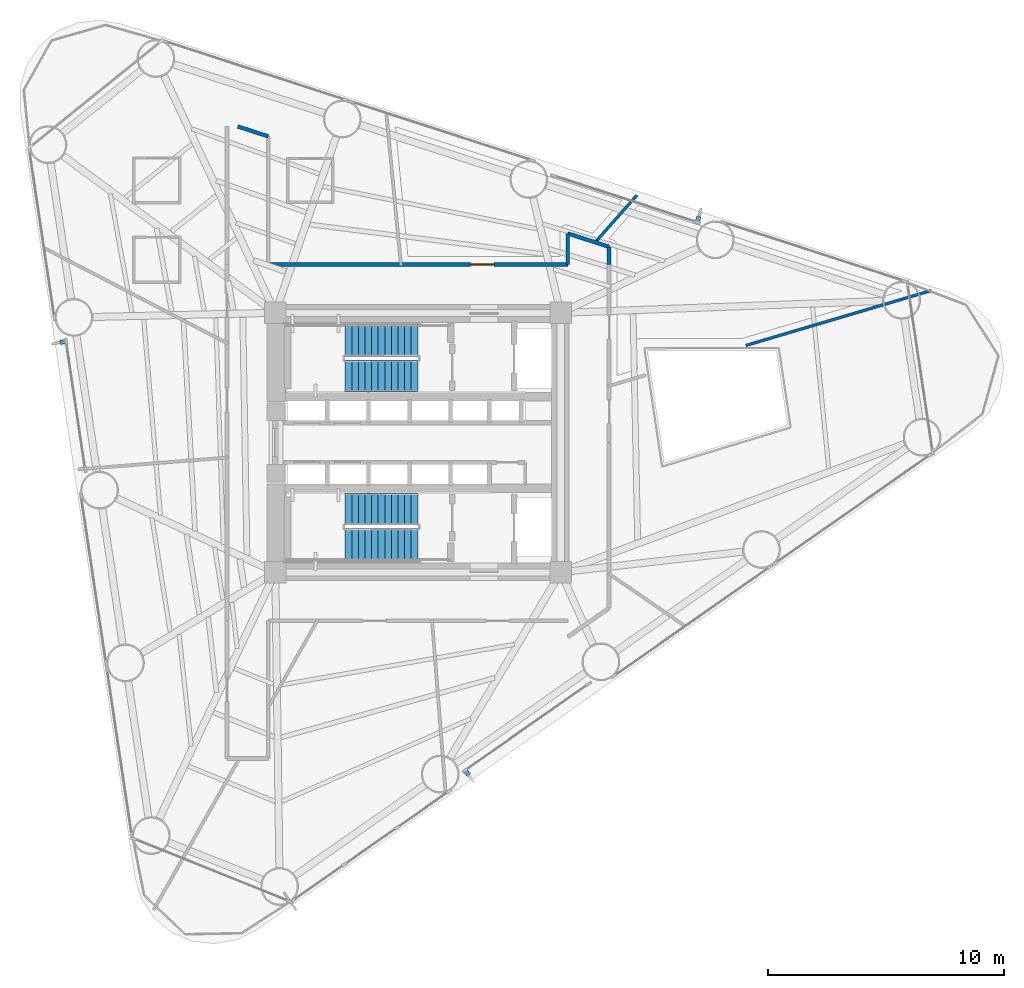
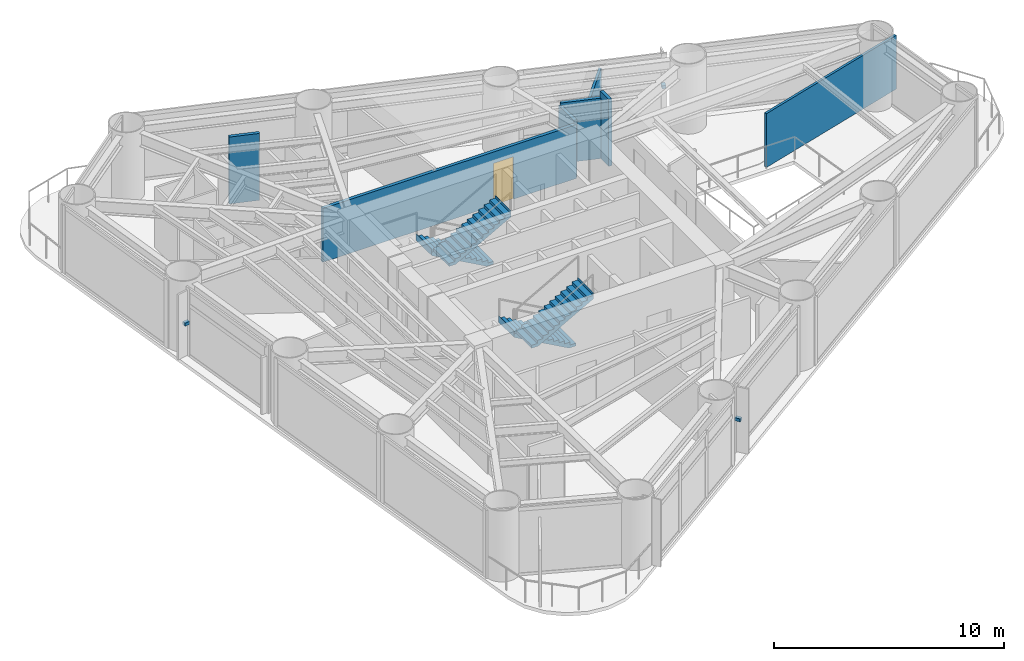
# One storey, part 7 of 9: 7 walls, 4 stair flights, 3 discrete accessories, 1 door, 1 opening, 2 elements without a shape of their own.
"""IFC4 building model written with IfcOpenShell, lengths in metres."""

import ifcopenshell
import ifcopenshell.guid

model = None  # the IFC model being written
_history = None  # IfcOwnerHistory: only IFC2X3 demands one
_inside = {}  # id of a spatial element -> (the spatial element, [elements in it])
_under = {}  # id of a project, library or spatial element -> (it, [spatial elements below it])
_declared = {}  # id of a project -> (the project, [libraries it declares])
_typed = {}  # id of a type object -> (the type object, [elements of that type])
_made_of = {}  # id of a material, layer set ... -> (it, [elements and type objects made of it])


def new_model(schema):
    """Start an empty IFC model of exactly this schema.

    Asked for "IFC4X3", IfcOpenShell would pick the latest addendum, in which some entities
    have other attributes; the version numbers below select the first issue.
    IFC2X3 requires an IfcOwnerHistory on every rooted entity: one is made here for all.
    """
    global model, _history
    if schema == "IFC4X3":
        model = ifcopenshell.file(schema_version=(4, 3, 0, 0))
    else:
        model = ifcopenshell.file(schema=schema)
    _inside.clear()
    _under.clear()
    _declared.clear()
    _typed.clear()
    _made_of.clear()
    _history = None
    if model.schema == "IFC2X3":
        org = make("IfcOrganization", Name="unknown")
        user = make(
            "IfcPersonAndOrganization",
            ThePerson=make("IfcPerson", FamilyName="unknown"),
            TheOrganization=org,
        )
        app = make(
            "IfcApplication",
            ApplicationDeveloper=org,
            Version="unknown",
            ApplicationFullName="unknown",
            ApplicationIdentifier="unknown",
        )
        _history = make(
            "IfcOwnerHistory",
            OwningUser=user,
            OwningApplication=app,
            ChangeAction="ADDED",
            CreationDate=0,
        )
    return model


def make(cls, **values):
    """One entity of the class cls with the attributes given. An attribute that is None is left unset."""
    return model.create_entity(
        cls, **{name: value for name, value in values.items() if value is not None}
    )


def rooted(cls, **values):
    """An entity with a GlobalId (a new one), such as an element, a storey or a relation."""
    return make(cls, GlobalId=ifcopenshell.guid.new(), OwnerHistory=_history, **values)


def si_unit(unit_type, name, prefix=None):
    """IfcSIUnit, for example si_unit("LENGTHUNIT", "METRE", prefix="MILLI")."""
    return make("IfcSIUnit", UnitType=unit_type, Prefix=prefix, Name=name)


def assignment(units):
    """IfcUnitAssignment: the units of a project."""
    return None if units is None else make("IfcUnitAssignment", Units=units)


def point(xyz):
    """IfcCartesianPoint."""
    return None if xyz is None else make("IfcCartesianPoint", Coordinates=xyz)


def direction(xyz):
    """IfcDirection."""
    return None if xyz is None else make("IfcDirection", DirectionRatios=xyz)


def frame(location, z_axis=None, x_axis=None):
    """IfcAxis2Placement3D, a coordinate frame: its origin and axes. An axis left out is left unset."""
    return make(
        "IfcAxis2Placement3D",
        Location=point(location),
        Axis=direction(z_axis),
        RefDirection=direction(x_axis),
    )


def frame_2d(location, x_axis=None):
    """IfcAxis2Placement2D, a coordinate frame in the plane: its origin and x axis."""
    return make(
        "IfcAxis2Placement2D", Location=point(location), RefDirection=direction(x_axis)
    )


def origin():
    """The frame at (0, 0, 0) with its axes left unset."""
    return frame((0.0, 0.0, 0.0))


def origin_2d():
    """The frame at (0, 0) in the plane with its x axis left unset."""
    return frame_2d((0.0, 0.0))


def place(relative_to, where):
    """IfcLocalPlacement: puts the frame where relative to a parent placement (None: the world)."""
    return make(
        "IfcLocalPlacement", PlacementRelTo=relative_to, RelativePlacement=where
    )


def context(
    kind, dimensions, precision=None, world=None, true_north=None, identifier=None
):
    """IfcGeometricRepresentationContext, for example the 3D "Model" context."""
    return make(
        "IfcGeometricRepresentationContext",
        ContextIdentifier=identifier,
        ContextType=kind,
        CoordinateSpaceDimension=dimensions,
        Precision=precision,
        WorldCoordinateSystem=world,
        TrueNorth=true_north,
    )


def subcontext(parent, identifier, kind, view, scale=None):
    """IfcGeometricRepresentationSubContext, for example "Body" below "Model"."""
    return make(
        "IfcGeometricRepresentationSubContext",
        ContextIdentifier=identifier,
        ContextType=kind,
        ParentContext=parent,
        TargetScale=scale,
        TargetView=view,
    )


def project(units=None, contexts=None):
    """IfcProject with its units and contexts."""
    return rooted(
        "IfcProject",
        Name="project",
        RepresentationContexts=contexts,
        UnitsInContext=assignment(units),
    )


def spatial(cls, under=None, at=None, **own):
    """A site, building, storey or space (cls), placed at a placement, below another one or the project."""
    s = rooted(cls, ObjectPlacement=at, **own)
    if under is not None:
        _under.setdefault(under.id(), (under, []))[1].append(s)
    return s


def polyline(points):
    """IfcPolyline through the points."""
    return make("IfcPolyline", Points=[point(p) for p in points])


def profile(cls, at=None, kind="AREA", **sizes):
    """A parametric profile (cls). Its sizes go by their IFC names, for example OverallWidth=200.0."""
    return make(cls, ProfileType=kind, Position=at, **sizes)


def rectangle(**sizes):
    """IfcRectangleProfileDef."""
    return profile("IfcRectangleProfileDef", **sizes)


def outline(outer, holes=None, kind="AREA"):
    """IfcArbitraryClosedProfileDef: a profile drawn as a closed curve; with holes, ...WithVoids."""
    if holes is None:
        return make("IfcArbitraryClosedProfileDef", ProfileType=kind, OuterCurve=outer)
    return make(
        "IfcArbitraryProfileDefWithVoids",
        ProfileType=kind,
        OuterCurve=outer,
        InnerCurves=holes,
    )


def extrude(swept, where, along, depth):
    """IfcExtrudedAreaSolid: the profile swept, set in the frame where, extruded along a direction by depth."""
    return make(
        "IfcExtrudedAreaSolid",
        SweptArea=swept,
        Position=where,
        ExtrudedDirection=direction(along),
        Depth=depth,
    )


def shape(context_of_items, identifier, shape_type, items):
    """IfcShapeRepresentation: the items that make up one representation, for example the "Body"."""
    return make(
        "IfcShapeRepresentation",
        ContextOfItems=context_of_items,
        RepresentationIdentifier=identifier,
        RepresentationType=shape_type,
        Items=items,
    )


def source(mapping_origin, context_of_items, identifier, shape_type, items):
    """IfcRepresentationMap: a shape defined once, which mapped items show again and again."""
    return make(
        "IfcRepresentationMap",
        MappingOrigin=mapping_origin,
        MappedRepresentation=shape(context_of_items, identifier, shape_type, items),
    )


def transform(
    local_origin,
    x_axis=None,
    y_axis=None,
    z_axis=None,
    scale=None,
    scale2=None,
    scale3=None,
    uniform=True,
):
    """IfcCartesianTransformationOperator3D, or its non-uniform kind. x_axis, y_axis, z_axis: its Axis1, 2, 3."""
    if uniform:
        return make(
            "IfcCartesianTransformationOperator3D",
            Axis1=direction(x_axis),
            Axis2=direction(y_axis),
            LocalOrigin=point(local_origin),
            Scale=scale,
            Axis3=direction(z_axis),
        )
    return make(
        "IfcCartesianTransformationOperator3DnonUniform",
        Axis1=direction(x_axis),
        Axis2=direction(y_axis),
        LocalOrigin=point(local_origin),
        Scale=scale,
        Axis3=direction(z_axis),
        Scale2=scale2,
        Scale3=scale3,
    )


def mapped(mapping_source, mapping_target):
    """IfcMappedItem: shows the shape of a source again, moved by a transform."""
    return make(
        "IfcMappedItem", MappingSource=mapping_source, MappingTarget=mapping_target
    )


def material(Name=None, Category=None):
    """IfcMaterial."""
    return make("IfcMaterial", Name=Name, Category=Category)


def layer(
    of_material, thickness, ventilated=None, Name=None, Category=None, Priority=None
):
    """IfcMaterialLayer: one layer of a wall or slab, of a material (None: an air gap)."""
    return make(
        "IfcMaterialLayer",
        Material=of_material,
        LayerThickness=thickness,
        IsVentilated=ventilated,
        Name=Name,
        Category=Category,
        Priority=Priority,
    )


def layer_set(layers, Name=None):
    """IfcMaterialLayerSet."""
    return make("IfcMaterialLayerSet", MaterialLayers=layers, LayerSetName=Name)


def made_of(thing, what):
    """Note that an element or type object is made of a material, layer set ...; save() writes the relation."""
    if what is not None:
        _made_of.setdefault(what.id(), (what, []))[1].append(thing)
    return thing


def type_object(cls, material=None, **own):
    """A type object (cls), such as IfcWallType, which elements share."""
    return made_of(rooted(cls, **own), material)


def element(
    cls,
    number,
    at=None,
    inside=None,
    cuts=None,
    type_object=None,
    material=None,
    context=None,
    identifier="Body",
    shape_type=None,
    held_by="IfcProductDefinitionShape",
    body=None,
    shapes=None,
    **own,
):
    """One element of the class cls, such as IfcWall. Its Tag is "e" and its number.

    at: its placement. inside: the storey or other place that contains it. cuts: it is an
    opening in that element (IfcRelVoidsElement). A single representation is given by context,
    identifier, shape_type and body (its items); several are given by shapes. held_by: the class
    of the entity that holds the representations. save() writes the other relations.
    """
    e = rooted(cls, Tag="e%d" % number, ObjectPlacement=at, **own)
    if body is not None:
        shapes = [shape(context, identifier, shape_type, body)]
    if shapes is not None:
        e.Representation = make(held_by, Representations=shapes)
    if inside is not None:
        _inside.setdefault(inside.id(), (inside, []))[1].append(e)
    if cuts is not None:
        rooted(
            "IfcRelVoidsElement", RelatingBuildingElement=cuts, RelatedOpeningElement=e
        )
    if type_object is not None:
        _typed.setdefault(type_object.id(), (type_object, []))[1].append(e)
    return made_of(e, material)


def fill(opening, filler):
    """IfcRelFillsElement: the door or window that sits in an opening."""
    return rooted(
        "IfcRelFillsElement",
        RelatingOpeningElement=opening,
        RelatedBuildingElement=filler,
    )


def aggregate(whole, parts):
    """IfcRelAggregates: a whole, such as a stair, and the parts it consists of."""
    return rooted("IfcRelAggregates", RelatingObject=whole, RelatedObjects=parts)


def save(model, path):
    """Write the relations noted so far, then the file.

    IfcRelAggregates (storeys below a building ...), IfcRelContainedInSpatialStructure (elements
    in a storey), IfcRelDefinesByType, IfcRelAssociatesMaterial and IfcRelDeclares: one each for
    every whole, place, type object, material and project.
    """
    for whole, parts in _under.values():
        aggregate(whole, parts)
    for where, things in _inside.values():
        rooted(
            "IfcRelContainedInSpatialStructure",
            RelatedElements=things,
            RelatingStructure=where,
        )
    for kind, things in _typed.values():
        rooted("IfcRelDefinesByType", RelatedObjects=things, RelatingType=kind)
    for what, things in _made_of.values():
        rooted("IfcRelAssociatesMaterial", RelatedObjects=things, RelatingMaterial=what)
    for by, libraries in _declared.values():
        rooted("IfcRelDeclares", RelatingContext=by, RelatedDefinitions=libraries)
    model.write(path)


model = new_model("IFC4")

# Units and contexts
model_context = context("Model", 3, precision=1e-05, world=origin(), true_north=direction((0.0, 1.0)))
body_context = subcontext(model_context, "Body", "Model", "MODEL_VIEW")
ifc_project = project(units=[si_unit("LENGTHUNIT", "METRE"), si_unit("AREAUNIT", "SQUARE_METRE"), si_unit("VOLUMEUNIT", "CUBIC_METRE"), si_unit("PLANEANGLEUNIT", "RADIAN"), si_unit("MASSUNIT", "GRAM", prefix="KILO")], contexts=[model_context])

# Site, building, storey
site_placement = place(None, origin())
site = spatial("IfcSite", under=ifc_project, at=site_placement, CompositionType="ELEMENT")
building_placement = place(site_placement, origin())
building = spatial("IfcBuilding", under=site, at=building_placement, Name="Yunling Apex Tower", CompositionType="ELEMENT")
storey_placement = place(building_placement, frame((0.0, 0.0, 66.050048828125)))
storey = spatial("IfcBuildingStorey", under=building, at=storey_placement, Name="L17", CompositionType="ELEMENT", Elevation=66.050048828125)

# Wall
ifc_material_1 = material(Name="Gypsum board acoustic partition")
ifc_layer_1 = layer(ifc_material_1, 0.159912109375)
ifc_layer_set_1 = layer_set([ifc_layer_1], Name="Gypsum board acoustic partition")
wall_type_1 = type_object("IfcWallType", Name="WL-PRT-1", PredefinedType="PARTITIONING", material=ifc_layer_set_1)
wall_1_placement = place(storey_placement, frame((-7.64111328125, 13.39990234375, 0.0), z_axis=(0.0, 0.0, 1.0), x_axis=(0.951277022007, -0.308337521884, 0.0)))
element("IfcWall", 1, at=wall_1_placement, inside=storey, type_object=wall_type_1, Name="WL-CORR-L17-05", PredefinedType="PARTITIONING", context=body_context, shape_type="SweptSolid", body=[
    extrude(rectangle(XDim=1.357177734375, YDim=0.159912109375, at=frame_2d((0.6787109375, 0.0))), origin(), (0.0, 0.0, 1.0), 3.544921875),
])

# Wall, opening, door
wall_2_placement = place(storey_placement, frame((-6.35009765625, 7.550048828125, 0.0), z_axis=(0.0, 0.0, 1.0), x_axis=(1.0, 0.0, 0.0)))
wall_2 = element("IfcWall", 2, at=wall_2_placement, inside=storey, type_object=wall_type_1, Name="WL-CORR-L17-07", PredefinedType="PARTITIONING", context=body_context, shape_type="SweptSolid", body=[
    extrude(rectangle(XDim=12.7001953125, YDim=0.159912109375, at=frame_2d((6.35009765625, 0.0))), origin(), (0.0, 0.0, 1.0), 2.849853515625),
])
opening_placement = place(wall_2_placement, frame((8.563720703125, 0.0, 0.0)))
opening = element("IfcOpeningElement", 3, at=opening_placement, cuts=wall_2, Name="Opening DR-OFF-1", PredefinedType="OPENING", context=body_context, shape_type="SweptSolid", body=[
    extrude(rectangle(XDim=1.0, YDim=2.25, at=frame_2d((0.5, 1.125))), frame((0.0, 0.08984375, 0.0), z_axis=(0.0, -1.0, 0.0), x_axis=(1.0, 0.0, 0.0)), (0.0, 0.0, 1.0), 0.179931640625),
])
ifc_material_2 = material(Name="Bronze anodised aluminium", Category="aluminium")
door_type = type_object("IfcDoorType", Name="DR-OFF-1", OperationType="NOTDEFINED", PredefinedType="DOOR", material=ifc_material_2)
door_placement = place(opening_placement, origin())
door = element("IfcDoor", 4, at=door_placement, inside=storey, type_object=door_type, Name="L17 Staff Fitness Club Door", OperationType="SINGLE_SWING_LEFT", OverallHeight=2.25, OverallWidth=1.0, PredefinedType="DOOR", context=body_context, shape_type="SweptSolid", body=[
    extrude(rectangle(XDim=1.0, YDim=2.25, at=frame_2d((0.5, 1.125))), frame((0.0, 0.02490234375, 0.0), z_axis=(0.0, -1.0, 0.0), x_axis=(1.0, 0.0, 0.0)), (0.0, 0.0, 1.0), 0.050048828125),
])
fill(opening, door)

# Walls
wall_3_placement = place(storey_placement, frame((6.35009765625, 7.550048828125, 0.0), z_axis=(0.0, 0.0, 1.0), x_axis=(0.0, 1.0, 0.0)))
element("IfcWall", 5, at=wall_3_placement, inside=storey, type_object=wall_type_1, Name="WL-CORR-L17-08", PredefinedType="PARTITIONING", context=body_context, shape_type="SweptSolid", body=[
    extrude(rectangle(XDim=1.314697265625, YDim=0.159912109375, at=frame_2d((0.6572265625, 0.0))), origin(), (0.0, 0.0, 1.0), 3.050048828125),
])
wall_4_placement = place(storey_placement, frame((6.35009765625, 8.86474609375, 0.0), z_axis=(0.0, 0.0, 1.0), x_axis=(0.951291213681, -0.308293734568, 0.0)))
element("IfcWall", 6, at=wall_4_placement, inside=storey, type_object=wall_type_1, Name="WL-CORR-L17-09", PredefinedType="PARTITIONING", context=body_context, shape_type="SweptSolid", body=[
    extrude(rectangle(XDim=1.839599609375, YDim=0.159912109375, at=frame_2d((0.919921875, 0.0))), origin(), (0.0, 0.0, 1.0), 3.199951171875),
])
wall_5_placement = place(storey_placement, frame((8.10009765625, 8.297607421875, 0.0), z_axis=(0.0, 0.0, 1.0), x_axis=(0.0, -1.0, 0.0)))
element("IfcWall", 7, at=wall_5_placement, inside=storey, type_object=wall_type_1, Name="WL-CORR-L17-10", PredefinedType="PARTITIONING", context=body_context, shape_type="SweptSolid", body=[
    extrude(rectangle(XDim=0.74755859375, YDim=0.159912109375, at=frame_2d((0.373779296875, 0.0))), origin(), (0.0, 0.0, 1.0), 3.544921875),
])
ifc_layer_2 = layer(ifc_material_1, 0.1201171875)
ifc_layer_set_2 = layer_set([ifc_layer_2], Name="Gypsum board acoustic partition")
wall_type_2 = type_object("IfcWallType", Name="WL-PRT-3", PredefinedType="PARTITIONING", material=ifc_layer_set_2)
wall_6_placement = place(storey_placement, frame((13.8974609375, 4.11669921875, 0.0), z_axis=(0.0, 0.0, 1.0), x_axis=(0.958827308203, 0.283989776303, 0.0)))
element("IfcWall", 8, at=wall_6_placement, inside=storey, type_object=wall_type_2, Name="WL-RAD-L17-09", PredefinedType="PARTITIONING", context=body_context, shape_type="SweptSolid", body=[
    extrude(rectangle(XDim=8.181640625, YDim=0.1201171875, at=frame_2d((4.0908203125, 0.0))), origin(), (0.0, 0.0, 1.0), 2.849853515625),
])
wall_7_placement = place(storey_placement, frame((7.481201171875, 8.4560546875, 0.0), z_axis=(0.0, 0.0, 1.0), x_axis=(0.662647880096, 0.7489310963, 0.0)))
element("IfcWall", 9, at=wall_7_placement, inside=storey, type_object=wall_type_2, Name="WL-RAD-L17-10", PredefinedType="PARTITIONING", context=body_context, shape_type="SweptSolid", body=[
    extrude(rectangle(XDim=2.705078125, YDim=0.1201171875, at=frame_2d((1.3525390625, 0.0))), origin(), (0.0, 0.0, 1.0), 3.010009765625),
])

# Stair, stair flights
ifc_material_3 = material(Name="Concrete C40", Category="concrete")
stair_type = type_object("IfcStairType", Name="ST-TWR-1", PredefinedType="HALF_TURN_STAIR", material=ifc_material_3)
stair_1_placement = place(storey_placement, origin())
stair_1 = element("IfcStair", 10, at=stair_1_placement, inside=storey, type_object=stair_type, Name="L17 North Core Smokeproof Exit Stair ST-1", PredefinedType="HALF_TURN_STAIR")
stair_flight_type = type_object("IfcStairFlightType", Name="SFL-TWR-1", PredefinedType="STRAIGHT", material=ifc_material_3)
stair_flight_1_placement = place(storey_placement, frame((-0.010009765625, 4.330078125, 0.0), z_axis=(0.0, 0.0, 1.0), x_axis=(-1.0, 0.0, 0.0)))
stair_flight_1 = element("IfcStairFlight", 11, at=stair_flight_1_placement, type_object=stair_flight_type, Name="ST-1 flight 1", NumberOfRisers=12, NumberOfTreads=11, PredefinedType="STRAIGHT", RiserHeight=0.15625, TreadLength=0.28, context=body_context, shape_type="SweptSolid", body=[
    extrude(outline(polyline([(-0.011962890625, 0.0), (-0.011962890625, 0.15625), (0.0, 0.15625), (0.280029296875, 0.15625), (0.280029296875, 0.3125), (0.56005859375, 0.3125), (0.56005859375, 0.46875), (0.840087890625, 0.46875), (0.840087890625, 0.625), (1.1201171875, 0.625), (1.1201171875, 0.78125), (1.39990234375, 0.78125), (1.39990234375, 0.9375), (1.679931640625, 0.9375), (1.679931640625, 1.09375), (1.9599609375, 1.09375), (1.9599609375, 1.25), (2.239990234375, 1.25), (2.239990234375, 1.40625), (2.52001953125, 1.40625), (2.52001953125, 1.5625), (2.800048828125, 1.5625), (2.800048828125, 1.71875), (3.080078125, 1.71875), (3.080078125, 1.875), (3.092041015625, 1.875), (3.092041015625, 1.53564453125), (0.328125, 0.0), (-0.011962890625, 0.0)])), frame((0.0, 0.68017578125, 0.0), z_axis=(0.0, -1.0, 0.0), x_axis=(1.0, 0.0, 0.0)), (0.0, 0.0, 1.0), 1.360107421875),
])
stair_flight_2_placement = place(storey_placement, frame((-3.090087890625, 2.820068359375, 1.875), z_axis=(0.0, 0.0, 1.0), x_axis=(1.0, 0.0, 0.0)))
stair_flight_2 = element("IfcStairFlight", 12, at=stair_flight_2_placement, type_object=stair_flight_type, Name="ST-1 flight 2", NumberOfRisers=12, NumberOfTreads=11, PredefinedType="STRAIGHT", RiserHeight=0.15625, TreadLength=0.28, context=body_context, shape_type="SweptSolid", body=[
    extrude(outline(polyline([(-0.011962890625, 0.0), (-0.011962890625, 0.15625), (0.0, 0.15625), (0.280029296875, 0.15625), (0.280029296875, 0.3125), (0.56005859375, 0.3125), (0.56005859375, 0.46875), (0.840087890625, 0.46875), (0.840087890625, 0.625), (1.1201171875, 0.625), (1.1201171875, 0.78125), (1.39990234375, 0.78125), (1.39990234375, 0.9375), (1.679931640625, 0.9375), (1.679931640625, 1.09375), (1.9599609375, 1.09375), (1.9599609375, 1.25), (2.239990234375, 1.25), (2.239990234375, 1.40625), (2.52001953125, 1.40625), (2.52001953125, 1.5625), (2.800048828125, 1.5625), (2.800048828125, 1.71875), (3.080078125, 1.71875), (3.080078125, 1.875), (3.092041015625, 1.875), (3.092041015625, 1.53564453125), (0.328125, 0.0), (-0.011962890625, 0.0)])), frame((0.0, 0.68017578125, 0.0), z_axis=(0.0, -1.0, 0.0), x_axis=(1.0, 0.0, 0.0)), (0.0, 0.0, 1.0), 1.360107421875),
])
aggregate(stair_1, [stair_flight_1, stair_flight_2])

stair_2_placement = place(storey_placement, origin())
stair_2 = element("IfcStair", 13, at=stair_2_placement, inside=storey, type_object=stair_type, Name="L17 South Core Smokeproof Exit Stair ST-2", PredefinedType="HALF_TURN_STAIR")
stair_flight_3_placement = place(storey_placement, frame((-0.010009765625, -2.820068359375, 0.0), z_axis=(0.0, 0.0, 1.0), x_axis=(-1.0, 0.0, 0.0)))
stair_flight_3 = element("IfcStairFlight", 14, at=stair_flight_3_placement, type_object=stair_flight_type, Name="ST-2 flight 1", NumberOfRisers=12, NumberOfTreads=11, PredefinedType="STRAIGHT", RiserHeight=0.15625, TreadLength=0.28, context=body_context, shape_type="SweptSolid", body=[
    extrude(outline(polyline([(-0.011962890625, 0.0), (-0.011962890625, 0.15625), (0.0, 0.15625), (0.280029296875, 0.15625), (0.280029296875, 0.3125), (0.56005859375, 0.3125), (0.56005859375, 0.46875), (0.840087890625, 0.46875), (0.840087890625, 0.625), (1.1201171875, 0.625), (1.1201171875, 0.78125), (1.39990234375, 0.78125), (1.39990234375, 0.9375), (1.679931640625, 0.9375), (1.679931640625, 1.09375), (1.9599609375, 1.09375), (1.9599609375, 1.25), (2.239990234375, 1.25), (2.239990234375, 1.40625), (2.52001953125, 1.40625), (2.52001953125, 1.5625), (2.800048828125, 1.5625), (2.800048828125, 1.71875), (3.080078125, 1.71875), (3.080078125, 1.875), (3.092041015625, 1.875), (3.092041015625, 1.53564453125), (0.328125, 0.0), (-0.011962890625, 0.0)])), frame((0.0, 0.68017578125, 0.0), z_axis=(0.0, -1.0, 0.0), x_axis=(1.0, 0.0, 0.0)), (0.0, 0.0, 1.0), 1.360107421875),
])
stair_flight_4_placement = place(storey_placement, frame((-3.090087890625, -4.330078125, 1.875), z_axis=(0.0, 0.0, 1.0), x_axis=(1.0, 0.0, 0.0)))
stair_flight_4 = element("IfcStairFlight", 15, at=stair_flight_4_placement, type_object=stair_flight_type, Name="ST-2 flight 2", NumberOfRisers=12, NumberOfTreads=11, PredefinedType="STRAIGHT", RiserHeight=0.15625, TreadLength=0.28, context=body_context, shape_type="SweptSolid", body=[
    extrude(outline(polyline([(-0.011962890625, 0.0), (-0.011962890625, 0.15625), (0.0, 0.15625), (0.280029296875, 0.15625), (0.280029296875, 0.3125), (0.56005859375, 0.3125), (0.56005859375, 0.46875), (0.840087890625, 0.46875), (0.840087890625, 0.625), (1.1201171875, 0.625), (1.1201171875, 0.78125), (1.39990234375, 0.78125), (1.39990234375, 0.9375), (1.679931640625, 0.9375), (1.679931640625, 1.09375), (1.9599609375, 1.09375), (1.9599609375, 1.25), (2.239990234375, 1.25), (2.239990234375, 1.40625), (2.52001953125, 1.40625), (2.52001953125, 1.5625), (2.800048828125, 1.5625), (2.800048828125, 1.71875), (3.080078125, 1.71875), (3.080078125, 1.875), (3.092041015625, 1.875), (3.092041015625, 1.53564453125), (0.328125, 0.0), (-0.011962890625, 0.0)])), frame((0.0, 0.68017578125, 0.0), z_axis=(0.0, -1.0, 0.0), x_axis=(1.0, 0.0, 0.0)), (0.0, 0.0, 1.0), 1.360107421875),
])
aggregate(stair_2, [stair_flight_3, stair_flight_4])

# Discrete accessories
ifc_material_4 = material(Name="Steel Q355B", Category="steel")
discrete_accessory_type = type_object("IfcDiscreteAccessoryType", Name="BK-FIN-1", PredefinedType="BRACKET", material=ifc_material_4)
shared_shape = source(origin(), body_context, "Body", "SweptSolid", [
    extrude(rectangle(XDim=0.179931640625, YDim=0.260009765625, at=origin_2d()), origin(), (0.0, 0.0, 1.0), 0.159912109375),
])
for number, where, z_axis, x_axis, name in (
    (16, (2.07421875, -13.998291015625, 1.70263671875), (0.0, 0.0, 1.0), (0.819552276527, 0.573004420611, 0.0), "CW-L17-F1-B2-BRK-01-1"),
    (17, (11.86865234375, 9.462158203125, 1.70263671875), (0.0, 0.0, 1.0), (-0.951272019071, 0.30835295642, 0.0), "CW-L17-F2-B2-BRK-01-1"),
    (18, (-15.0458984375, 4.265380859375, 1.70263671875), (0.0, 0.0, 1.0), (0.14780941113, -0.989015863362, 0.0), "CW-L17-F3-B2-BRK-01-1"),
):
    element("IfcDiscreteAccessory", number, at=place(storey_placement, frame(where, z_axis=z_axis, x_axis=x_axis)), inside=storey, type_object=discrete_accessory_type, Name=name, PredefinedType="BRACKET", context=body_context, shape_type="MappedRepresentation", body=[
        mapped(shared_shape, transform((0.0, 0.0, 0.0), scale=1.0)),
    ])

save(model, "model.ifc")
